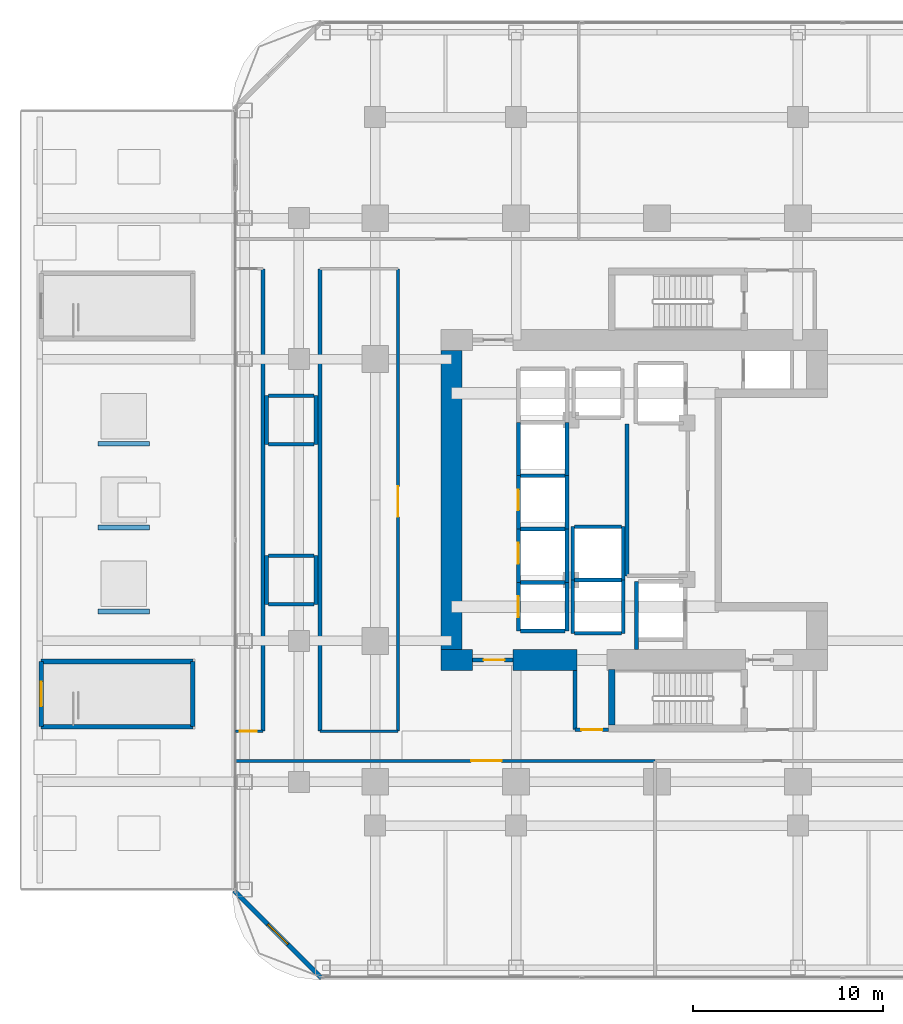
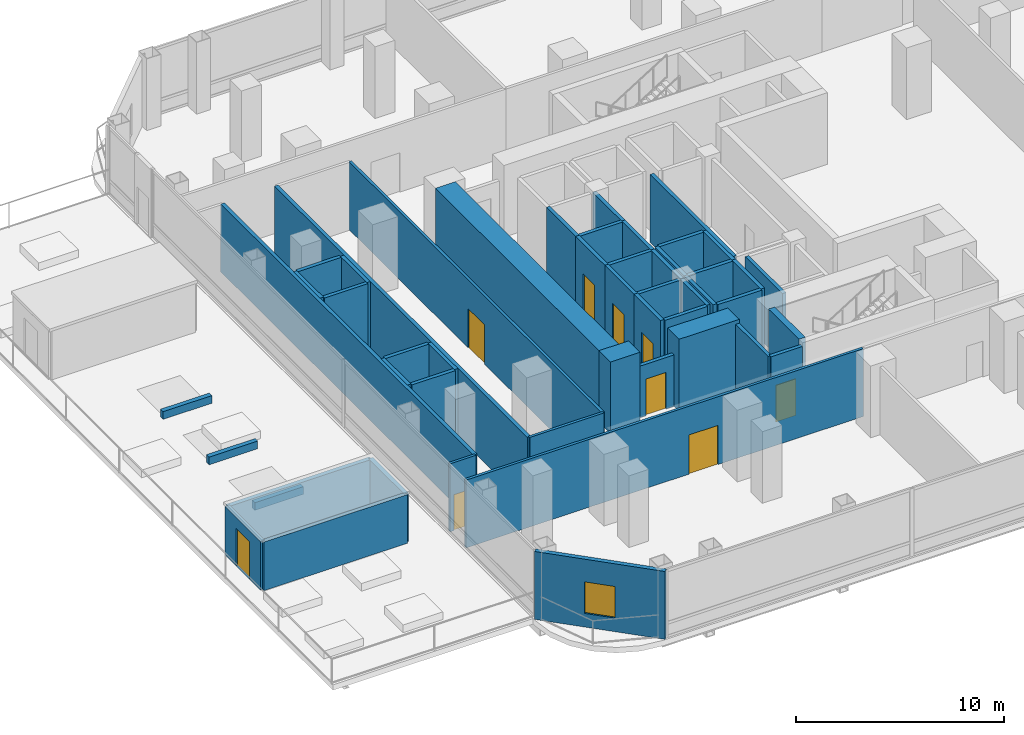
# One storey, part 23 of 29: 50 walls, 9 doors, 1 window, 10 openings.
"""IFC4 building model written with IfcOpenShell, lengths in metres."""

import ifcopenshell
import ifcopenshell.guid

model = None  # the IFC model being written
_history = None  # IfcOwnerHistory: only IFC2X3 demands one
_inside = {}  # id of a spatial element -> (the spatial element, [elements in it])
_under = {}  # id of a project, library or spatial element -> (it, [spatial elements below it])
_declared = {}  # id of a project -> (the project, [libraries it declares])
_typed = {}  # id of a type object -> (the type object, [elements of that type])
_made_of = {}  # id of a material, layer set ... -> (it, [elements and type objects made of it])


def new_model(schema):
    """Start an empty IFC model of exactly this schema.

    Asked for "IFC4X3", IfcOpenShell would pick the latest addendum, in which some entities
    have other attributes; the version numbers below select the first issue.
    IFC2X3 requires an IfcOwnerHistory on every rooted entity: one is made here for all.
    """
    global model, _history
    if schema == "IFC4X3":
        model = ifcopenshell.file(schema_version=(4, 3, 0, 0))
    else:
        model = ifcopenshell.file(schema=schema)
    _inside.clear()
    _under.clear()
    _declared.clear()
    _typed.clear()
    _made_of.clear()
    _history = None
    if model.schema == "IFC2X3":
        org = make("IfcOrganization", Name="unknown")
        user = make(
            "IfcPersonAndOrganization",
            ThePerson=make("IfcPerson", FamilyName="unknown"),
            TheOrganization=org,
        )
        app = make(
            "IfcApplication",
            ApplicationDeveloper=org,
            Version="unknown",
            ApplicationFullName="unknown",
            ApplicationIdentifier="unknown",
        )
        _history = make(
            "IfcOwnerHistory",
            OwningUser=user,
            OwningApplication=app,
            ChangeAction="ADDED",
            CreationDate=0,
        )
    return model


def make(cls, **values):
    """One entity of the class cls with the attributes given. An attribute that is None is left unset."""
    return model.create_entity(
        cls, **{name: value for name, value in values.items() if value is not None}
    )


def rooted(cls, **values):
    """An entity with a GlobalId (a new one), such as an element, a storey or a relation."""
    return make(cls, GlobalId=ifcopenshell.guid.new(), OwnerHistory=_history, **values)


def si_unit(unit_type, name, prefix=None):
    """IfcSIUnit, for example si_unit("LENGTHUNIT", "METRE", prefix="MILLI")."""
    return make("IfcSIUnit", UnitType=unit_type, Prefix=prefix, Name=name)


def assignment(units):
    """IfcUnitAssignment: the units of a project."""
    return None if units is None else make("IfcUnitAssignment", Units=units)


def point(xyz):
    """IfcCartesianPoint."""
    return None if xyz is None else make("IfcCartesianPoint", Coordinates=xyz)


def direction(xyz):
    """IfcDirection."""
    return None if xyz is None else make("IfcDirection", DirectionRatios=xyz)


def frame(location, z_axis=None, x_axis=None):
    """IfcAxis2Placement3D, a coordinate frame: its origin and axes. An axis left out is left unset."""
    return make(
        "IfcAxis2Placement3D",
        Location=point(location),
        Axis=direction(z_axis),
        RefDirection=direction(x_axis),
    )


def frame_2d(location, x_axis=None):
    """IfcAxis2Placement2D, a coordinate frame in the plane: its origin and x axis."""
    return make(
        "IfcAxis2Placement2D", Location=point(location), RefDirection=direction(x_axis)
    )


def origin():
    """The frame at (0, 0, 0) with its axes left unset."""
    return frame((0.0, 0.0, 0.0))


def place(relative_to, where):
    """IfcLocalPlacement: puts the frame where relative to a parent placement (None: the world)."""
    return make(
        "IfcLocalPlacement", PlacementRelTo=relative_to, RelativePlacement=where
    )


def context(
    kind, dimensions, precision=None, world=None, true_north=None, identifier=None
):
    """IfcGeometricRepresentationContext, for example the 3D "Model" context."""
    return make(
        "IfcGeometricRepresentationContext",
        ContextIdentifier=identifier,
        ContextType=kind,
        CoordinateSpaceDimension=dimensions,
        Precision=precision,
        WorldCoordinateSystem=world,
        TrueNorth=true_north,
    )


def subcontext(parent, identifier, kind, view, scale=None):
    """IfcGeometricRepresentationSubContext, for example "Body" below "Model"."""
    return make(
        "IfcGeometricRepresentationSubContext",
        ContextIdentifier=identifier,
        ContextType=kind,
        ParentContext=parent,
        TargetScale=scale,
        TargetView=view,
    )


def project(units=None, contexts=None):
    """IfcProject with its units and contexts."""
    return rooted(
        "IfcProject",
        Name="project",
        RepresentationContexts=contexts,
        UnitsInContext=assignment(units),
    )


def spatial(cls, under=None, at=None, **own):
    """A site, building, storey or space (cls), placed at a placement, below another one or the project."""
    s = rooted(cls, ObjectPlacement=at, **own)
    if under is not None:
        _under.setdefault(under.id(), (under, []))[1].append(s)
    return s


def profile(cls, at=None, kind="AREA", **sizes):
    """A parametric profile (cls). Its sizes go by their IFC names, for example OverallWidth=200.0."""
    return make(cls, ProfileType=kind, Position=at, **sizes)


def rectangle(**sizes):
    """IfcRectangleProfileDef."""
    return profile("IfcRectangleProfileDef", **sizes)


def extrude(swept, where, along, depth):
    """IfcExtrudedAreaSolid: the profile swept, set in the frame where, extruded along a direction by depth."""
    return make(
        "IfcExtrudedAreaSolid",
        SweptArea=swept,
        Position=where,
        ExtrudedDirection=direction(along),
        Depth=depth,
    )


def shape(context_of_items, identifier, shape_type, items):
    """IfcShapeRepresentation: the items that make up one representation, for example the "Body"."""
    return make(
        "IfcShapeRepresentation",
        ContextOfItems=context_of_items,
        RepresentationIdentifier=identifier,
        RepresentationType=shape_type,
        Items=items,
    )


def material(Name=None, Category=None):
    """IfcMaterial."""
    return make("IfcMaterial", Name=Name, Category=Category)


def layer(
    of_material, thickness, ventilated=None, Name=None, Category=None, Priority=None
):
    """IfcMaterialLayer: one layer of a wall or slab, of a material (None: an air gap)."""
    return make(
        "IfcMaterialLayer",
        Material=of_material,
        LayerThickness=thickness,
        IsVentilated=ventilated,
        Name=Name,
        Category=Category,
        Priority=Priority,
    )


def layer_set(layers, Name=None):
    """IfcMaterialLayerSet."""
    return make("IfcMaterialLayerSet", MaterialLayers=layers, LayerSetName=Name)


def made_of(thing, what):
    """Note that an element or type object is made of a material, layer set ...; save() writes the relation."""
    if what is not None:
        _made_of.setdefault(what.id(), (what, []))[1].append(thing)
    return thing


def type_object(cls, material=None, **own):
    """A type object (cls), such as IfcWallType, which elements share."""
    return made_of(rooted(cls, **own), material)


def element(
    cls,
    number,
    at=None,
    inside=None,
    cuts=None,
    type_object=None,
    material=None,
    context=None,
    identifier="Body",
    shape_type=None,
    held_by="IfcProductDefinitionShape",
    body=None,
    shapes=None,
    **own,
):
    """One element of the class cls, such as IfcWall. Its Tag is "e" and its number.

    at: its placement. inside: the storey or other place that contains it. cuts: it is an
    opening in that element (IfcRelVoidsElement). A single representation is given by context,
    identifier, shape_type and body (its items); several are given by shapes. held_by: the class
    of the entity that holds the representations. save() writes the other relations.
    """
    e = rooted(cls, Tag="e%d" % number, ObjectPlacement=at, **own)
    if body is not None:
        shapes = [shape(context, identifier, shape_type, body)]
    if shapes is not None:
        e.Representation = make(held_by, Representations=shapes)
    if inside is not None:
        _inside.setdefault(inside.id(), (inside, []))[1].append(e)
    if cuts is not None:
        rooted(
            "IfcRelVoidsElement", RelatingBuildingElement=cuts, RelatedOpeningElement=e
        )
    if type_object is not None:
        _typed.setdefault(type_object.id(), (type_object, []))[1].append(e)
    return made_of(e, material)


def fill(opening, filler):
    """IfcRelFillsElement: the door or window that sits in an opening."""
    return rooted(
        "IfcRelFillsElement",
        RelatingOpeningElement=opening,
        RelatedBuildingElement=filler,
    )


def aggregate(whole, parts):
    """IfcRelAggregates: a whole, such as a stair, and the parts it consists of."""
    return rooted("IfcRelAggregates", RelatingObject=whole, RelatedObjects=parts)


def save(model, path):
    """Write the relations noted so far, then the file.

    IfcRelAggregates (storeys below a building ...), IfcRelContainedInSpatialStructure (elements
    in a storey), IfcRelDefinesByType, IfcRelAssociatesMaterial and IfcRelDeclares: one each for
    every whole, place, type object, material and project.
    """
    for whole, parts in _under.values():
        aggregate(whole, parts)
    for where, things in _inside.values():
        rooted(
            "IfcRelContainedInSpatialStructure",
            RelatedElements=things,
            RelatingStructure=where,
        )
    for kind, things in _typed.values():
        rooted("IfcRelDefinesByType", RelatedObjects=things, RelatingType=kind)
    for what, things in _made_of.values():
        rooted("IfcRelAssociatesMaterial", RelatedObjects=things, RelatingMaterial=what)
    for by, libraries in _declared.values():
        rooted("IfcRelDeclares", RelatingContext=by, RelatedDefinitions=libraries)
    model.write(path)


model = new_model("IFC4")

# Units and contexts
model_context = context("Model", 3, precision=1e-05, world=origin(), true_north=direction((0.0, 1.0)))
body_context = subcontext(model_context, "Body", "Model", "MODEL_VIEW")
ifc_project = project(units=[si_unit("LENGTHUNIT", "METRE"), si_unit("AREAUNIT", "SQUARE_METRE"), si_unit("VOLUMEUNIT", "CUBIC_METRE"), si_unit("PLANEANGLEUNIT", "RADIAN"), si_unit("MASSUNIT", "GRAM", prefix="KILO")], contexts=[model_context])

# Site, building, storey
site_placement = place(None, origin())
site = spatial("IfcSite", under=ifc_project, at=site_placement, CompositionType="ELEMENT")
building_placement = place(site_placement, origin())
building = spatial("IfcBuilding", under=site, at=building_placement, Name="Khorvyn Point Tower", CompositionType="ELEMENT")
storey_placement = place(building_placement, frame((0.0, 0.0, 26.39990234375)))
storey = spatial("IfcBuildingStorey", under=building, at=storey_placement, Name="L07", CompositionType="ELEMENT", Elevation=26.39990234375)

# Wall, opening, window
ifc_material_1 = material(Name="Pale anodised aluminium rainscreen on steel stud", Category="steel")
ifc_layer_1 = layer(ifc_material_1, 0.239990234375)
ifc_layer_set_1 = layer_set([ifc_layer_1], Name="Anodised Aluminium Insulated Corner Spandrel Wall 240")
wall_type_1 = type_object("IfcWallType", Name="Anodised Aluminium Insulated Corner Spandrel Wall 240", PredefinedType="SOLIDWALL", material=ifc_layer_set_1)
wall_1_placement = place(storey_placement, frame((-17.607666015625, -25.09228515625, 0.0), z_axis=(0.0, 0.0, 1.0), x_axis=(-0.707106781187, 0.707106781187, 0.0)))
wall_1 = element("IfcWall", 1, at=wall_1_placement, inside=storey, type_object=wall_type_1, Name="L07 Rounded Corner Wall SW", PredefinedType="SOLIDWALL", context=body_context, shape_type="SweptSolid", body=[
    extrude(rectangle(XDim=6.48388671875, YDim=0.239990234375, at=frame_2d((3.241943359375, 0.0))), origin(), (0.0, 0.0, 1.0), 3.97998046875),
])
opening_1_placement = place(wall_1_placement, frame((2.491943359375, 0.0, 0.800048828125)))
opening_1 = element("IfcOpeningElement", 2, at=opening_1_placement, cuts=wall_1, Name="Opening WN-1518", PredefinedType="OPENING", context=body_context, shape_type="SweptSolid", body=[
    extrude(rectangle(XDim=1.5, YDim=1.85009765625, at=frame_2d((0.75, 0.925048828125))), frame((0.0, 0.1298828125, 0.0), z_axis=(0.0, -1.0, 0.0), x_axis=(1.0, 0.0, 0.0)), (0.0, 0.0, 1.0), 0.260009765625),
])
ifc_material_2 = material(Name="Anodised aluminium 6063-T6 and laminated Low-E glass", Category="aluminium")
window_type = type_object("IfcWindowType", Name="Anodised Aluminium Rounded-Corner Panoramic Window 1500x1850", PartitioningType="SINGLE_PANEL", PredefinedType="WINDOW", material=ifc_material_2)
window_placement = place(opening_1_placement, origin())
window = element("IfcWindow", 3, at=window_placement, inside=storey, type_object=window_type, Name="L07 Corner Panoramic Window SW", OverallHeight=1.85009765625, OverallWidth=1.5, PartitioningType="SINGLE_PANEL", PredefinedType="WINDOW", context=body_context, shape_type="SweptSolid", body=[
    extrude(rectangle(XDim=1.5, YDim=1.85009765625, at=frame_2d((0.75, 0.925048828125))), frame((0.0, 0.030029296875, 0.0), z_axis=(0.0, -1.0, 0.0), x_axis=(1.0, 0.0, 0.0)), (0.0, 0.0, 1.0), 0.06005859375),
])
fill(opening_1, window)

# Walls
ifc_material_3 = material(Name="Concrete C35/45", Category="concrete")
ifc_layer_2 = layer(ifc_material_3, 0.25)
ifc_layer_set_2 = layer_set([ifc_layer_2], Name="Concrete C35/45 Roof Parapet Upstand Wall 250")
wall_type_2 = type_object("IfcWallType", Name="Concrete C35/45 Roof Parapet Upstand Wall 250", PredefinedType="PARAPET", material=ifc_layer_set_2)
for number, where, z_axis, x_axis, name in (
    (4, (-29.35009765625, -5.85009765625, 0.0), (0.0, 0.0, 1.0), (1.0, 0.0, 0.0), "L07 Garden Skylight Upstand 1"),
    (5, (-29.35009765625, 2.949951171875, 0.0), (0.0, 0.0, 1.0), (1.0, 0.0, 0.0), "L07 Garden Skylight Upstand 2"),
    (6, (-29.35009765625, -1.449951171875, 0.0), (0.0, 0.0, 1.0), (1.0, 0.0, 0.0), "L07 Garden Skylight Upstand 3"),
):
    element("IfcWall", number, at=place(storey_placement, frame(where, z_axis=z_axis, x_axis=x_axis)), inside=storey, type_object=wall_type_2, Name=name, PredefinedType="PARAPET", context=body_context, shape_type="SweptSolid", body=[
        extrude(rectangle(XDim=2.7001953125, YDim=0.25, at=frame_2d((1.35009765625, 0.0))), origin(), (0.0, 0.0, 1.0), 0.4501953125),
    ])

# Wall, opening, door
ifc_material_4 = material(Name="Concrete C40/50", Category="concrete")
ifc_layer_3 = layer(ifc_material_4, 0.199951171875)
ifc_layer_set_3 = layer_set([ifc_layer_3], Name="Concrete C40/50 Fire-Lobby Compartment Wall 200")
wall_type_3 = type_object("IfcWallType", Name="Concrete C40/50 Fire-Lobby Compartment Wall 200", PredefinedType="SOLIDWALL", material=ifc_layer_set_3)
wall_2_placement = place(storey_placement, frame((-9.699951171875, -8.39990234375, 0.0), z_axis=(0.0, 0.0, 1.0), x_axis=(1.0, 0.0, 0.0)))
wall_2 = element("IfcWall", 7, at=wall_2_placement, inside=storey, type_object=wall_type_3, Name="Wall", PredefinedType="SOLIDWALL", context=body_context, shape_type="SweptSolid", body=[
    extrude(rectangle(XDim=2.14990234375, YDim=0.199951171875, at=frame_2d((1.074951171875, 0.0))), origin(), (0.0, 0.0, 1.0), 3.02001953125),
])
opening_2_placement = place(wall_2_placement, frame((0.597900390625, 0.0, 0.0)))
opening_2 = element("IfcOpeningElement", 8, at=opening_2_placement, cuts=wall_2, Name="Opening ID-FL90", PredefinedType="OPENING", context=body_context, shape_type="SweptSolid", body=[
    extrude(rectangle(XDim=1.10009765625, YDim=2.14990234375, at=frame_2d((0.550048828125, 1.074951171875))), frame((0.0, 0.10986328125, 0.0), z_axis=(0.0, -1.0, 0.0), x_axis=(1.0, 0.0, 0.0)), (0.0, 0.0, 1.0), 0.219970703125),
])
ifc_material_5 = material(Name="Galvanised powder-coated steel", Category="steel")
door_type_1 = type_object("IfcDoorType", Name="Fire-Rated Steel Lobby and Stair Door 1100x2150", OperationType="NOTDEFINED", PredefinedType="DOOR", material=ifc_material_5)
door_1_placement = place(opening_2_placement, origin())
door_1 = element("IfcDoor", 9, at=door_1_placement, inside=storey, type_object=door_type_1, Name="Door", OperationType="SINGLE_SWING_RIGHT", OverallHeight=2.14990234375, OverallWidth=1.10009765625, PredefinedType="DOOR", context=body_context, shape_type="SweptSolid", body=[
    extrude(rectangle(XDim=1.10009765625, YDim=2.14990234375, at=frame_2d((0.550048828125, 1.074951171875))), frame((0.0, 0.02490234375, 0.0), z_axis=(0.0, -1.0, 0.0), x_axis=(1.0, 0.0, 0.0)), (0.0, 0.0, 1.0), 0.050048828125),
])
fill(opening_2, door_1)

wall_3_placement = place(storey_placement, frame((-4.300048828125, -12.06005859375, 0.0), z_axis=(0.0, 0.0, 1.0), x_axis=(1.0, 0.0, 0.0)))
wall_3 = element("IfcWall", 10, at=wall_3_placement, inside=storey, type_object=wall_type_3, Name="Wall", PredefinedType="SOLIDWALL", context=body_context, shape_type="SweptSolid", body=[
    extrude(rectangle(XDim=1.75, YDim=0.199951171875, at=frame_2d((0.875, 0.0))), origin(), (0.0, 0.0, 1.0), 3.97998046875),
])
opening_3_placement = place(wall_3_placement, frame((0.324951171875, 0.0, 0.0)))
opening_3 = element("IfcOpeningElement", 11, at=opening_3_placement, cuts=wall_3, Name="Opening ID-FL90", PredefinedType="OPENING", context=body_context, shape_type="SweptSolid", body=[
    extrude(rectangle(XDim=1.10009765625, YDim=2.14990234375, at=frame_2d((0.550048828125, 1.074951171875))), frame((0.0, 0.10986328125, 0.0), z_axis=(0.0, -1.0, 0.0), x_axis=(1.0, 0.0, 0.0)), (0.0, 0.0, 1.0), 0.219970703125),
])
door_2_placement = place(opening_3_placement, origin())
door_2 = element("IfcDoor", 12, at=door_2_placement, inside=storey, type_object=door_type_1, Name="Door", OperationType="SINGLE_SWING_RIGHT", OverallHeight=2.14990234375, OverallWidth=1.10009765625, PredefinedType="DOOR", context=body_context, shape_type="SweptSolid", body=[
    extrude(rectangle(XDim=1.10009765625, YDim=2.14990234375, at=frame_2d((0.550048828125, 1.074951171875))), frame((0.0, 0.02490234375, 0.0), z_axis=(0.0, -1.0, 0.0), x_axis=(1.0, 0.0, 0.0)), (0.0, 0.0, 1.0), 0.050048828125),
])
fill(opening_3, door_2)

# Walls
wall_4_placement = place(storey_placement, frame((-4.300048828125, -12.06005859375, 0.0), z_axis=(0.0, 0.0, 1.0), x_axis=(0.0, 1.0, 0.0)))
element("IfcWall", 13, at=wall_4_placement, inside=storey, type_object=wall_type_3, Name="Wall", PredefinedType="SOLIDWALL", context=body_context, shape_type="SweptSolid", body=[
    extrude(rectangle(XDim=3.110107421875, YDim=0.199951171875, at=frame_2d((1.55517578125, 0.0))), origin(), (0.0, 0.0, 1.0), 3.97998046875),
])
wall_5_placement = place(storey_placement, frame((-1.580078125, -3.97998046875, 0.0), z_axis=(0.0, 0.0, 1.0), x_axis=(0.0, 1.0, 0.0)))
element("IfcWall", 14, at=wall_5_placement, inside=storey, type_object=wall_type_3, Name="Wall", PredefinedType="SOLIDWALL", context=body_context, shape_type="SweptSolid", body=[
    extrude(rectangle(XDim=7.9599609375, YDim=0.199951171875, at=frame_2d((3.97998046875, 0.0))), origin(), (0.0, 0.0, 1.0), 3.97998046875),
])
for number, where, z_axis, x_axis, name in (
    (15, (-17.699951171875, -12.139892578125, 0.0), (0.0, 0.0, 1.0), (0.0, 1.0, 0.0), "Wall"),
    (16, (-20.679931640625, -12.139892578125, 0.0), (0.0, 0.0, 1.0), (0.0, 1.0, 0.0), "Wall"),
):
    element("IfcWall", number, at=place(storey_placement, frame(where, z_axis=z_axis, x_axis=x_axis)), inside=storey, type_object=wall_type_3, Name=name, PredefinedType="SOLIDWALL", context=body_context, shape_type="SweptSolid", body=[
        extrude(rectangle(XDim=24.27978515625, YDim=0.199951171875, at=frame_2d((12.139892578125, 0.0))), origin(), (0.0, 0.0, 1.0), 3.97998046875),
    ])
ifc_layer_4 = layer(ifc_material_4, 0.35009765625)
ifc_layer_set_4 = layer_set([ifc_layer_4], Name="Concrete C40/50 Stair Shaft Structural Wall 350")
wall_type_4 = type_object("IfcWallType", Name="Concrete C40/50 Stair Shaft Structural Wall 350", PredefinedType="SHEAR", material=ifc_layer_set_4)
wall_6_placement = place(storey_placement, frame((-2.3798828125, -11.824951171875, 0.0), z_axis=(0.0, 0.0, 1.0), x_axis=(0.0, 1.0, 0.0)))
element("IfcWall", 17, at=wall_6_placement, inside=storey, type_object=wall_type_4, Name="L07 ST-01 West Shaft Wall", PredefinedType="SHEAR", context=body_context, shape_type="SweptSolid", body=[
    extrude(rectangle(XDim=2.925048828125, YDim=0.35009765625, at=frame_2d((1.46240234375, 0.0))), origin(), (0.0, 0.0, 1.0), 4.2001953125),
])

# Wall, opening, door
ifc_layer_5 = layer(ifc_material_4, 0.239990234375)
ifc_layer_set_5 = layer_set([ifc_layer_5], Name="Concrete C40/50 Structural Headhouse Wall 240")
wall_type_5 = type_object("IfcWallType", Name="Concrete C40/50 Structural Headhouse Wall 240", PredefinedType="SOLIDWALL", material=ifc_layer_set_5)
wall_7_placement = place(storey_placement, frame((-32.330078125, -11.89990234375, 0.0), z_axis=(0.0, 0.0, 1.0), x_axis=(0.0, 1.0, 0.0)))
wall_7 = element("IfcWall", 18, at=wall_7_placement, inside=storey, type_object=wall_type_5, Name="L07 STS1 Headhouse West Door Wall", PredefinedType="SOLIDWALL", context=body_context, shape_type="SweptSolid", body=[
    extrude(rectangle(XDim=3.419921875, YDim=0.239990234375, at=frame_2d((1.7099609375, 0.0))), origin(), (0.0, 0.0, 1.0), 2.85009765625),
])
opening_4_placement = place(wall_7_placement, frame((1.06005859375, 0.0, 0.0)))
opening_4 = element("IfcOpeningElement", 19, at=opening_4_placement, cuts=wall_7, Name="Opening ED-1322", PredefinedType="OPENING", context=body_context, shape_type="SweptSolid", body=[
    extrude(rectangle(XDim=1.300048828125, YDim=2.199951171875, at=frame_2d((0.64990234375, 1.10009765625))), frame((0.0, 0.1298828125, 0.0), z_axis=(0.0, -1.0, 0.0), x_axis=(1.0, 0.0, 0.0)), (0.0, 0.0, 1.0), 0.260009765625),
])
door_type_2 = type_object("IfcDoorType", Name="Fire-Exit Steel Discharge Swing Door 1300x2200", OperationType="NOTDEFINED", PredefinedType="DOOR", material=ifc_material_5)
door_3_placement = place(opening_4_placement, origin())
door_3 = element("IfcDoor", 20, at=door_3_placement, inside=storey, type_object=door_type_2, Name="L07 STS1 Garden Exit Door", OperationType="SINGLE_SWING_LEFT", OverallHeight=2.199951171875, OverallWidth=1.300048828125, PredefinedType="DOOR", context=body_context, shape_type="SweptSolid", body=[
    extrude(rectangle(XDim=1.300048828125, YDim=2.199951171875, at=frame_2d((0.64990234375, 1.10009765625))), frame((0.0, 0.02490234375, 0.0), z_axis=(0.0, -1.0, 0.0), x_axis=(1.0, 0.0, 0.0)), (0.0, 0.0, 1.0), 0.050048828125),
])
fill(opening_4, door_3)

# Walls
wall_8_placement = place(storey_placement, frame((-24.3701171875, -8.47998046875, 0.0), z_axis=(0.0, 0.0, 1.0), x_axis=(0.0, -1.0, 0.0)))
element("IfcWall", 21, at=wall_8_placement, inside=storey, type_object=wall_type_5, Name="L07 STS1 Headhouse East Wall", PredefinedType="SOLIDWALL", context=body_context, shape_type="SweptSolid", body=[
    extrude(rectangle(XDim=3.419921875, YDim=0.239990234375, at=frame_2d((1.7099609375, 0.0))), origin(), (0.0, 0.0, 1.0), 2.85009765625),
])
for number, where, z_axis, x_axis, name in (
    (22, (-24.3701171875, -11.89990234375, 0.0), (0.0, 0.0, 1.0), (-1.0, 0.0, 0.0), "L07 STS1 Headhouse South Wall"),
    (23, (-32.330078125, -8.47998046875, 0.0), (0.0, 0.0, 1.0), (1.0, 0.0, 0.0), "L07 STS1 Headhouse North Wall"),
):
    element("IfcWall", number, at=place(storey_placement, frame(where, z_axis=z_axis, x_axis=x_axis)), inside=storey, type_object=wall_type_5, Name=name, PredefinedType="SOLIDWALL", context=body_context, shape_type="SweptSolid", body=[
        extrude(rectangle(XDim=7.9599609375, YDim=0.239990234375, at=frame_2d((3.97998046875, 0.0))), origin(), (0.0, 0.0, 1.0), 2.85009765625),
    ])
ifc_layer_6 = layer(ifc_material_4, 0.199951171875)
ifc_layer_set_6 = layer_set([ifc_layer_6], Name="Concrete C40/50 Structural Hoistway and Stair Shaft Wall 200")
wall_type_6 = type_object("IfcWallType", Name="Concrete C40/50 Structural Hoistway and Stair Shaft Wall 200", PredefinedType="SHEAR", material=ifc_layer_set_6)
for number, where, z_axis, x_axis, name in (
    (24, (-20.5, -5.47509765625, 0.0), (0.0, 0.0, 1.0), (0.0, 1.0, 0.0), "Wall"),
    (25, (-17.89990234375, -5.47509765625, 0.0), (0.0, 0.0, 1.0), (0.0, 1.0, 0.0), "Wall"),
):
    element("IfcWall", number, at=place(storey_placement, frame(where, z_axis=z_axis, x_axis=x_axis)), inside=storey, type_object=wall_type_6, Name=name, PredefinedType="SHEAR", context=body_context, shape_type="SweptSolid", body=[
        extrude(rectangle(XDim=2.550048828125, YDim=0.199951171875, at=frame_2d((1.27490234375, 0.0))), origin(), (0.0, 0.0, 1.0), 3.97998046875),
    ])
for number, where, z_axis, x_axis, name in (
    (26, (-20.39990234375, -5.47509765625, 0.0), (0.0, 0.0, 1.0), (1.0, 0.0, 0.0), "Wall"),
    (27, (-20.39990234375, -2.925048828125, 0.0), (0.0, 0.0, 1.0), (1.0, 0.0, 0.0), "Wall"),
):
    element("IfcWall", number, at=place(storey_placement, frame(where, z_axis=z_axis, x_axis=x_axis)), inside=storey, type_object=wall_type_6, Name=name, PredefinedType="SHEAR", context=body_context, shape_type="SweptSolid", body=[
        extrude(rectangle(XDim=2.39990234375, YDim=0.199951171875, at=frame_2d((1.199951171875, 0.0))), origin(), (0.0, 0.0, 1.0), 3.97998046875),
    ])
for number, where, z_axis, x_axis, name in (
    (28, (-20.5, 2.925048828125, 0.0), (0.0, 0.0, 1.0), (0.0, 1.0, 0.0), "Wall"),
    (29, (-17.89990234375, 2.925048828125, 0.0), (0.0, 0.0, 1.0), (0.0, 1.0, 0.0), "Wall"),
):
    element("IfcWall", number, at=place(storey_placement, frame(where, z_axis=z_axis, x_axis=x_axis)), inside=storey, type_object=wall_type_6, Name=name, PredefinedType="SHEAR", context=body_context, shape_type="SweptSolid", body=[
        extrude(rectangle(XDim=2.550048828125, YDim=0.199951171875, at=frame_2d((1.27490234375, 0.0))), origin(), (0.0, 0.0, 1.0), 3.97998046875),
    ])
for number, where, z_axis, x_axis, name in (
    (30, (-20.39990234375, 2.925048828125, 0.0), (0.0, 0.0, 1.0), (1.0, 0.0, 0.0), "Wall"),
    (31, (-20.39990234375, 5.47509765625, 0.0), (0.0, 0.0, 1.0), (1.0, 0.0, 0.0), "Wall"),
):
    element("IfcWall", number, at=place(storey_placement, frame(where, z_axis=z_axis, x_axis=x_axis)), inside=storey, type_object=wall_type_6, Name=name, PredefinedType="SHEAR", context=body_context, shape_type="SweptSolid", body=[
        extrude(rectangle(XDim=2.39990234375, YDim=0.199951171875, at=frame_2d((1.199951171875, 0.0))), origin(), (0.0, 0.0, 1.0), 3.97998046875),
    ])

# Wall, opening, door
wall_9_placement = place(storey_placement, frame((-7.27490234375, -6.875, 0.0), z_axis=(0.0, 0.0, 1.0), x_axis=(0.0, 1.0, 0.0)))
wall_9 = element("IfcWall", 32, at=wall_9_placement, inside=storey, type_object=wall_type_6, Name="Wall", PredefinedType="SHEAR", context=body_context, shape_type="SweptSolid", body=[
    extrude(rectangle(XDim=2.550048828125, YDim=0.199951171875, at=frame_2d((1.27490234375, 0.0))), origin(), (0.0, 0.0, 1.0), 3.97998046875),
])
opening_5_placement = place(wall_9_placement, frame((0.72509765625, 0.0, 0.0)))
opening_5 = element("IfcOpeningElement", 33, at=opening_5_placement, cuts=wall_9, Name="Opening LD-1122", PredefinedType="OPENING", context=body_context, shape_type="SweptSolid", body=[
    extrude(rectangle(XDim=1.10009765625, YDim=2.199951171875, at=frame_2d((0.550048828125, 1.10009765625))), frame((0.0, 0.10986328125, 0.0), z_axis=(0.0, -1.0, 0.0), x_axis=(1.0, 0.0, 0.0)), (0.0, 0.0, 1.0), 0.219970703125),
])
ifc_material_6 = material(Name="Stainless steel 1.4301", Category="steel")
door_type_3 = type_object("IfcDoorType", Name="Stainless Steel Automatic Sliding Lift Landing Door 1100x2200", OperationType="SLIDING_TO_LEFT", PredefinedType="DOOR", material=ifc_material_6)
door_4_placement = place(opening_5_placement, origin())
door_4 = element("IfcDoor", 34, at=door_4_placement, inside=storey, type_object=door_type_3, Name="L07 RL-01 Sliding Lift Landing Door", OperationType="SLIDING_TO_LEFT", OverallHeight=2.199951171875, OverallWidth=1.10009765625, PredefinedType="DOOR", context=body_context, shape_type="SweptSolid", body=[
    extrude(rectangle(XDim=1.10009765625, YDim=2.199951171875, at=frame_2d((0.550048828125, 1.10009765625))), frame((0.0, 0.02490234375, 0.0), z_axis=(0.0, -1.0, 0.0), x_axis=(1.0, 0.0, 0.0)), (0.0, 0.0, 1.0), 0.050048828125),
])
fill(opening_5, door_4)

# Walls
wall_10_placement = place(storey_placement, frame((-4.72509765625, -6.875, 0.0), z_axis=(0.0, 0.0, 1.0), x_axis=(0.0, 1.0, 0.0)))
element("IfcWall", 35, at=wall_10_placement, inside=storey, type_object=wall_type_6, Name="Wall", PredefinedType="SHEAR", context=body_context, shape_type="SweptSolid", body=[
    extrude(rectangle(XDim=2.550048828125, YDim=0.199951171875, at=frame_2d((1.27490234375, 0.0))), origin(), (0.0, 0.0, 1.0), 3.97998046875),
])
for number, where, z_axis, x_axis, name in (
    (36, (-7.175048828125, -6.875, 0.0), (0.0, 0.0, 1.0), (1.0, 0.0, 0.0), "Wall"),
    (37, (-7.175048828125, -4.324951171875, 0.0), (0.0, 0.0, 1.0), (1.0, 0.0, 0.0), "Wall"),
):
    element("IfcWall", number, at=place(storey_placement, frame(where, z_axis=z_axis, x_axis=x_axis)), inside=storey, type_object=wall_type_6, Name=name, PredefinedType="SHEAR", context=body_context, shape_type="SweptSolid", body=[
        extrude(rectangle(XDim=2.35009765625, YDim=0.199951171875, at=frame_2d((1.175048828125, 0.0))), origin(), (0.0, 0.0, 1.0), 3.97998046875),
    ])

# Wall, opening, door
wall_11_placement = place(storey_placement, frame((-7.27490234375, -4.324951171875, 0.0), z_axis=(0.0, 0.0, 1.0), x_axis=(0.0, 1.0, 0.0)))
wall_11 = element("IfcWall", 38, at=wall_11_placement, inside=storey, type_object=wall_type_6, Name="Wall", PredefinedType="SHEAR", context=body_context, shape_type="SweptSolid", body=[
    extrude(rectangle(XDim=2.800048828125, YDim=0.199951171875, at=frame_2d((1.39990234375, 0.0))), origin(), (0.0, 0.0, 1.0), 3.97998046875),
])
opening_6_placement = place(wall_11_placement, frame((0.97509765625, 0.0, 0.0)))
opening_6 = element("IfcOpeningElement", 39, at=opening_6_placement, cuts=wall_11, Name="Opening LD-1122", PredefinedType="OPENING", context=body_context, shape_type="SweptSolid", body=[
    extrude(rectangle(XDim=1.10009765625, YDim=2.199951171875, at=frame_2d((0.550048828125, 1.10009765625))), frame((0.0, 0.10986328125, 0.0), z_axis=(0.0, -1.0, 0.0), x_axis=(1.0, 0.0, 0.0)), (0.0, 0.0, 1.0), 0.219970703125),
])
door_5_placement = place(opening_6_placement, origin())
door_5 = element("IfcDoor", 40, at=door_5_placement, inside=storey, type_object=door_type_3, Name="L07 RL-02 Sliding Lift Landing Door", OperationType="SLIDING_TO_LEFT", OverallHeight=2.199951171875, OverallWidth=1.10009765625, PredefinedType="DOOR", context=body_context, shape_type="SweptSolid", body=[
    extrude(rectangle(XDim=1.10009765625, YDim=2.199951171875, at=frame_2d((0.550048828125, 1.10009765625))), frame((0.0, 0.02490234375, 0.0), z_axis=(0.0, -1.0, 0.0), x_axis=(1.0, 0.0, 0.0)), (0.0, 0.0, 1.0), 0.050048828125),
])
fill(opening_6, door_5)

# Walls
wall_12_placement = place(storey_placement, frame((-4.72509765625, -4.324951171875, 0.0), z_axis=(0.0, 0.0, 1.0), x_axis=(0.0, 1.0, 0.0)))
element("IfcWall", 41, at=wall_12_placement, inside=storey, type_object=wall_type_6, Name="Wall", PredefinedType="SHEAR", context=body_context, shape_type="SweptSolid", body=[
    extrude(rectangle(XDim=2.800048828125, YDim=0.199951171875, at=frame_2d((1.39990234375, 0.0))), origin(), (0.0, 0.0, 1.0), 3.97998046875),
])
wall_13_placement = place(storey_placement, frame((-7.175048828125, -1.52490234375, 0.0), z_axis=(0.0, 0.0, 1.0), x_axis=(1.0, 0.0, 0.0)))
element("IfcWall", 42, at=wall_13_placement, inside=storey, type_object=wall_type_6, Name="Wall", PredefinedType="SHEAR", context=body_context, shape_type="SweptSolid", body=[
    extrude(rectangle(XDim=2.35009765625, YDim=0.199951171875, at=frame_2d((1.175048828125, 0.0))), origin(), (0.0, 0.0, 1.0), 3.97998046875),
])

# Wall, opening, door
wall_14_placement = place(storey_placement, frame((-7.27490234375, -1.52490234375, 0.0), z_axis=(0.0, 0.0, 1.0), x_axis=(0.0, 1.0, 0.0)))
wall_14 = element("IfcWall", 43, at=wall_14_placement, inside=storey, type_object=wall_type_6, Name="Wall", PredefinedType="SHEAR", context=body_context, shape_type="SweptSolid", body=[
    extrude(rectangle(XDim=2.7998046875, YDim=0.199951171875, at=frame_2d((1.39990234375, 0.0))), origin(), (0.0, 0.0, 1.0), 3.97998046875),
])
opening_7_placement = place(wall_14_placement, frame((0.97509765625, 0.0, 0.0)))
opening_7 = element("IfcOpeningElement", 44, at=opening_7_placement, cuts=wall_14, Name="Opening LD-1122", PredefinedType="OPENING", context=body_context, shape_type="SweptSolid", body=[
    extrude(rectangle(XDim=1.10009765625, YDim=2.199951171875, at=frame_2d((0.550048828125, 1.10009765625))), frame((0.0, 0.10986328125, 0.0), z_axis=(0.0, -1.0, 0.0), x_axis=(1.0, 0.0, 0.0)), (0.0, 0.0, 1.0), 0.219970703125),
])
door_6_placement = place(opening_7_placement, origin())
door_6 = element("IfcDoor", 45, at=door_6_placement, inside=storey, type_object=door_type_3, Name="L07 RL-03 Sliding Lift Landing Door", OperationType="SLIDING_TO_LEFT", OverallHeight=2.199951171875, OverallWidth=1.10009765625, PredefinedType="DOOR", context=body_context, shape_type="SweptSolid", body=[
    extrude(rectangle(XDim=1.10009765625, YDim=2.199951171875, at=frame_2d((0.550048828125, 1.10009765625))), frame((0.0, 0.02490234375, 0.0), z_axis=(0.0, -1.0, 0.0), x_axis=(1.0, 0.0, 0.0)), (0.0, 0.0, 1.0), 0.050048828125),
])
fill(opening_7, door_6)

# Walls
wall_15_placement = place(storey_placement, frame((-4.72509765625, -1.52490234375, 0.0), z_axis=(0.0, 0.0, 1.0), x_axis=(0.0, 1.0, 0.0)))
element("IfcWall", 46, at=wall_15_placement, inside=storey, type_object=wall_type_6, Name="Wall", PredefinedType="SHEAR", context=body_context, shape_type="SweptSolid", body=[
    extrude(rectangle(XDim=2.7998046875, YDim=0.199951171875, at=frame_2d((1.39990234375, 0.0))), origin(), (0.0, 0.0, 1.0), 3.97998046875),
])
wall_16_placement = place(storey_placement, frame((-7.175048828125, 1.27490234375, 0.0), z_axis=(0.0, 0.0, 1.0), x_axis=(1.0, 0.0, 0.0)))
element("IfcWall", 47, at=wall_16_placement, inside=storey, type_object=wall_type_6, Name="Wall", PredefinedType="SHEAR", context=body_context, shape_type="SweptSolid", body=[
    extrude(rectangle(XDim=2.35009765625, YDim=0.199951171875, at=frame_2d((1.175048828125, 0.0))), origin(), (0.0, 0.0, 1.0), 3.97998046875),
])
for number, where, z_axis, x_axis, name in (
    (48, (-7.27490234375, 1.27490234375, 0.0), (0.0, 0.0, 1.0), (0.0, 1.0, 0.0), "Wall"),
    (49, (-4.72509765625, 1.27490234375, 0.0), (0.0, 0.0, 1.0), (0.0, 1.0, 0.0), "Wall"),
    (50, (-4.425048828125, -7.0, 0.0), (0.0, 0.0, 1.0), (0.0, 1.0, 0.0), "Wall"),
    (51, (-1.77490234375, -7.0, 0.0), (0.0, 0.0, 1.0), (0.0, 1.0, 0.0), "Wall"),
):
    element("IfcWall", number, at=place(storey_placement, frame(where, z_axis=z_axis, x_axis=x_axis)), inside=storey, type_object=wall_type_6, Name=name, PredefinedType="SHEAR", context=body_context, shape_type="SweptSolid", body=[
        extrude(rectangle(XDim=2.800048828125, YDim=0.199951171875, at=frame_2d((1.39990234375, 0.0))), origin(), (0.0, 0.0, 1.0), 3.97998046875),
    ])
for number, where, z_axis, x_axis, name in (
    (52, (-4.324951171875, -7.0, 0.0), (0.0, 0.0, 1.0), (1.0, 0.0, 0.0), "Wall"),
    (53, (-4.324951171875, -4.199951171875, 0.0), (0.0, 0.0, 1.0), (1.0, 0.0, 0.0), "Wall"),
):
    element("IfcWall", number, at=place(storey_placement, frame(where, z_axis=z_axis, x_axis=x_axis)), inside=storey, type_object=wall_type_6, Name=name, PredefinedType="SHEAR", context=body_context, shape_type="SweptSolid", body=[
        extrude(rectangle(XDim=2.449951171875, YDim=0.199951171875, at=frame_2d((1.22509765625, 0.0))), origin(), (0.0, 0.0, 1.0), 3.97998046875),
    ])
for number, where, z_axis, x_axis, name in (
    (54, (-4.425048828125, -4.199951171875, 0.0), (0.0, 0.0, 1.0), (0.0, 1.0, 0.0), "Wall"),
    (55, (-1.77490234375, -4.199951171875, 0.0), (0.0, 0.0, 1.0), (0.0, 1.0, 0.0), "Wall"),
):
    element("IfcWall", number, at=place(storey_placement, frame(where, z_axis=z_axis, x_axis=x_axis)), inside=storey, type_object=wall_type_6, Name=name, PredefinedType="SHEAR", context=body_context, shape_type="SweptSolid", body=[
        extrude(rectangle(XDim=2.800048828125, YDim=0.199951171875, at=frame_2d((1.39990234375, 0.0))), origin(), (0.0, 0.0, 1.0), 3.97998046875),
    ])
wall_17_placement = place(storey_placement, frame((-4.324951171875, -1.39990234375, 0.0), z_axis=(0.0, 0.0, 1.0), x_axis=(1.0, 0.0, 0.0)))
element("IfcWall", 56, at=wall_17_placement, inside=storey, type_object=wall_type_6, Name="Wall", PredefinedType="SHEAR", context=body_context, shape_type="SweptSolid", body=[
    extrude(rectangle(XDim=2.449951171875, YDim=0.199951171875, at=frame_2d((1.22509765625, 0.0))), origin(), (0.0, 0.0, 1.0), 3.97998046875),
])
wall_18_placement = place(storey_placement, frame((-1.074951171875, -7.85009765625, 0.0), z_axis=(0.0, 0.0, 1.0), x_axis=(0.0, 1.0, 0.0)))
element("IfcWall", 57, at=wall_18_placement, inside=storey, type_object=wall_type_6, Name="Wall", PredefinedType="SHEAR", context=body_context, shape_type="SweptSolid", body=[
    extrude(rectangle(XDim=3.5751953125, YDim=0.199951171875, at=frame_2d((1.78759765625, 0.0))), origin(), (0.0, 0.0, 1.0), 3.97998046875),
])
ifc_material_7 = material(Name="Concrete C50/60", Category="concrete")
ifc_layer_7 = layer(ifc_material_7, 1.10009765625)
ifc_layer_set_7 = layer_set([ifc_layer_7], Name="Concrete C50/60 Core Shear Wall 1100")
wall_type_7 = type_object("IfcWallType", Name="Concrete C50/60 Core Shear Wall 1100", PredefinedType="SHEAR", material=ifc_layer_set_7)
wall_19_placement = place(storey_placement, frame((-11.35009765625, -8.39990234375, 0.0), z_axis=(0.0, 0.0, 1.0), x_axis=(1.0, 0.0, 0.0)))
element("IfcWall", 58, at=wall_19_placement, inside=storey, type_object=wall_type_7, Name="Wall", PredefinedType="SHEAR", context=body_context, shape_type="SweptSolid", body=[
    extrude(rectangle(XDim=1.650146484375, YDim=1.10009765625, at=frame_2d((0.8251953125, 0.0))), origin(), (0.0, 0.0, 1.0), 4.2001953125),
])
wall_20_placement = place(storey_placement, frame((-7.550048828125, -8.39990234375, 0.0), z_axis=(0.0, 0.0, 1.0), x_axis=(1.0, 0.0, 0.0)))
element("IfcWall", 59, at=wall_20_placement, inside=storey, type_object=wall_type_7, Name="Wall", PredefinedType="SHEAR", context=body_context, shape_type="SweptSolid", body=[
    extrude(rectangle(XDim=3.35009765625, YDim=1.10009765625, at=frame_2d((1.675048828125, 0.0))), origin(), (0.0, 0.0, 1.0), 4.2001953125),
])
wall_21_placement = place(storey_placement, frame((-10.800048828125, -7.85009765625, 0.0), z_axis=(0.0, 0.0, 1.0), x_axis=(0.0, 1.0, 0.0)))
element("IfcWall", 60, at=wall_21_placement, inside=storey, type_object=wall_type_7, Name="Wall", PredefinedType="SHEAR", context=body_context, shape_type="SweptSolid", body=[
    extrude(rectangle(XDim=15.7001953125, YDim=1.10009765625, at=frame_2d((7.85009765625, 0.0))), origin(), (0.0, 0.0, 1.0), 4.2001953125),
])

# Wall, opening, door
ifc_material_8 = material(Name="Moisture-resistant gypsum and cement board", Category="gypsum")
ifc_layer_8 = layer(ifc_material_8, 0.14990234375)
ifc_layer_set_8 = layer_set([ifc_layer_8], Name="Moisture-Resistant Wet-Room Partition Wall 150")
wall_type_8 = type_object("IfcWallType", Name="Moisture-Resistant Wet-Room Partition Wall 150", PredefinedType="PARTITIONING", material=ifc_layer_set_8)
wall_22_placement = place(storey_placement, frame((-22.1298828125, -13.699951171875, 0.0), z_axis=(0.0, 0.0, 1.0), x_axis=(1.0, 0.0, 0.0)))
wall_22 = element("IfcWall", 61, at=wall_22_placement, inside=storey, type_object=wall_type_8, Name="Wall", PredefinedType="PARTITIONING", context=body_context, shape_type="SweptSolid", body=[
    extrude(rectangle(XDim=22.02490234375, YDim=0.14990234375, at=frame_2d((11.012451171875, 0.0))), origin(), (0.0, 0.0, 1.0), 3.97998046875),
])
opening_8_placement = place(wall_22_placement, frame((12.36669921875, 0.0, 0.0)))
opening_8 = element("IfcOpeningElement", 62, at=opening_8_placement, cuts=wall_22, Name="Opening ID-LB30", PredefinedType="OPENING", context=body_context, shape_type="SweptSolid", body=[
    extrude(rectangle(XDim=1.60009765625, YDim=2.300048828125, at=frame_2d((0.800048828125, 1.14990234375))), frame((0.0, 0.0849609375, 0.0), z_axis=(0.0, -1.0, 0.0), x_axis=(1.0, 0.0, 0.0)), (0.0, 0.0, 1.0), 0.169921875),
])
ifc_material_9 = material(Name="Anodised aluminium 6063-T6 and tempered glass", Category="aluminium")
door_type_4 = type_object("IfcDoorType", Name="Glazed Aluminium Sky-Lobby Double Swing Door 1600x2300", OperationType="DOUBLE_DOOR_SINGLE_SWING", PredefinedType="DOOR", material=ifc_material_9)
door_7_placement = place(opening_8_placement, origin())
door_7 = element("IfcDoor", 63, at=door_7_placement, inside=storey, type_object=door_type_4, Name="Door", OperationType="SINGLE_SWING_LEFT", OverallHeight=2.300048828125, OverallWidth=1.60009765625, PredefinedType="DOOR", context=body_context, shape_type="SweptSolid", body=[
    extrude(rectangle(XDim=1.60009765625, YDim=2.300048828125, at=frame_2d((0.800048828125, 1.14990234375))), frame((0.0, 0.02490234375, 0.0), z_axis=(0.0, -1.0, 0.0), x_axis=(1.0, 0.0, 0.0)), (0.0, 0.0, 1.0), 0.050048828125),
])
fill(opening_8, door_7)

wall_23_placement = place(storey_placement, frame((-13.60009765625, -12.139892578125, 0.0), z_axis=(0.0, 0.0, 1.0), x_axis=(0.0, 1.0, 0.0)))
wall_23 = element("IfcWall", 64, at=wall_23_placement, inside=storey, type_object=wall_type_8, Name="Wall", PredefinedType="PARTITIONING", context=body_context, shape_type="SweptSolid", body=[
    extrude(rectangle(XDim=24.27978515625, YDim=0.14990234375, at=frame_2d((12.139892578125, 0.0))), origin(), (0.0, 0.0, 1.0), 3.97998046875),
])
opening_9_placement = place(wall_23_placement, frame((11.25048828125, 0.0, 0.0)))
opening_9 = element("IfcOpeningElement", 65, at=opening_9_placement, cuts=wall_23, Name="Opening ID-LB30", PredefinedType="OPENING", context=body_context, shape_type="SweptSolid", body=[
    extrude(rectangle(XDim=1.60009765625, YDim=2.300048828125, at=frame_2d((0.800048828125, 1.14990234375))), frame((0.0, 0.0849609375, 0.0), z_axis=(0.0, -1.0, 0.0), x_axis=(1.0, 0.0, 0.0)), (0.0, 0.0, 1.0), 0.169921875),
])
door_8_placement = place(opening_9_placement, origin())
door_8 = element("IfcDoor", 66, at=door_8_placement, inside=storey, type_object=door_type_4, Name="Door", OperationType="SINGLE_SWING_LEFT", OverallHeight=2.300048828125, OverallWidth=1.60009765625, PredefinedType="DOOR", context=body_context, shape_type="SweptSolid", body=[
    extrude(rectangle(XDim=1.60009765625, YDim=2.300048828125, at=frame_2d((0.800048828125, 1.14990234375))), frame((0.0, 0.02490234375, 0.0), z_axis=(0.0, -1.0, 0.0), x_axis=(1.0, 0.0, 0.0)), (0.0, 0.0, 1.0), 0.050048828125),
])
fill(opening_9, door_8)

wall_24_placement = place(storey_placement, frame((-22.1298828125, -12.139892578125, 0.0), z_axis=(0.0, 0.0, 1.0), x_axis=(1.0, 0.0, 0.0)))
wall_24 = element("IfcWall", 67, at=wall_24_placement, inside=storey, type_object=wall_type_8, Name="Wall", PredefinedType="PARTITIONING", context=body_context, shape_type="SweptSolid", body=[
    extrude(rectangle(XDim=1.449951171875, YDim=0.14990234375, at=frame_2d((0.72509765625, 0.0))), origin(), (0.0, 0.0, 1.0), 3.97998046875),
])
opening_10_placement = place(wall_24_placement, frame((0.217529296875, 0.0, 0.0)))
opening_10 = element("IfcOpeningElement", 68, at=opening_10_placement, cuts=wall_24, Name="Opening ID-RM90", PredefinedType="OPENING", context=body_context, shape_type="SweptSolid", body=[
    extrude(rectangle(XDim=0.89990234375, YDim=2.10009765625, at=frame_2d((0.449951171875, 1.050048828125))), frame((0.0, 0.0849609375, 0.0), z_axis=(0.0, -1.0, 0.0), x_axis=(1.0, 0.0, 0.0)), (0.0, 0.0, 1.0), 0.169921875),
])
ifc_material_10 = material(Name="Engineered oak veneer timber", Category="wood")
door_type_5 = type_object("IfcDoorType", Name="Flush Engineered Timber Room Door 900x2100", OperationType="NOTDEFINED", PredefinedType="DOOR", material=ifc_material_10)
door_9_placement = place(opening_10_placement, origin())
door_9 = element("IfcDoor", 69, at=door_9_placement, inside=storey, type_object=door_type_5, Name="Door", OperationType="SINGLE_SWING_LEFT", OverallHeight=2.10009765625, OverallWidth=0.89990234375, PredefinedType="DOOR", context=body_context, shape_type="SweptSolid", body=[
    extrude(rectangle(XDim=0.89990234375, YDim=2.10009765625, at=frame_2d((0.449951171875, 1.050048828125))), frame((0.0, 0.02490234375, 0.0), z_axis=(0.0, -1.0, 0.0), x_axis=(1.0, 0.0, 0.0)), (0.0, 0.0, 1.0), 0.050048828125),
])
fill(opening_10, door_9)

# Wall
wall_25_placement = place(storey_placement, frame((-17.699951171875, -12.139892578125, 0.0), z_axis=(0.0, 0.0, 1.0), x_axis=(1.0, 0.0, 0.0)))
element("IfcWall", 70, at=wall_25_placement, inside=storey, type_object=wall_type_8, Name="Wall", PredefinedType="PARTITIONING", context=body_context, shape_type="SweptSolid", body=[
    extrude(rectangle(XDim=4.099853515625, YDim=0.14990234375, at=frame_2d((2.0498046875, 0.0))), origin(), (0.0, 0.0, 1.0), 3.97998046875),
])

save(model, "model.ifc")
